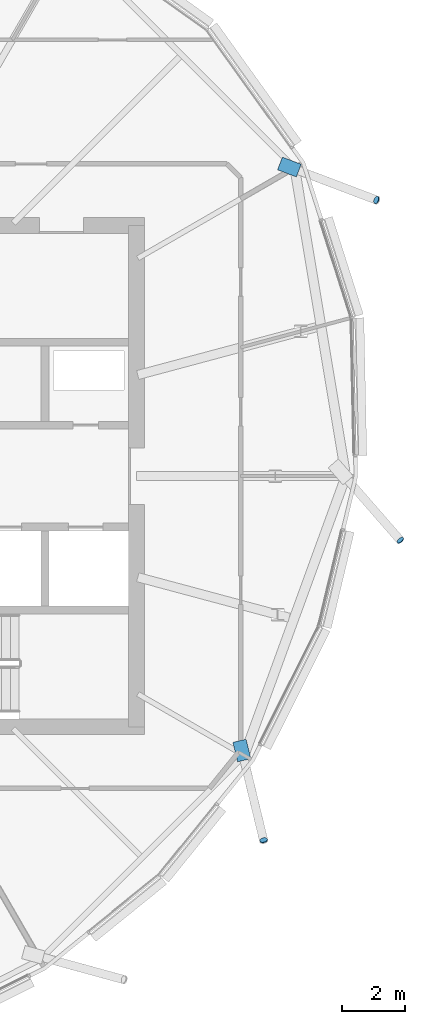
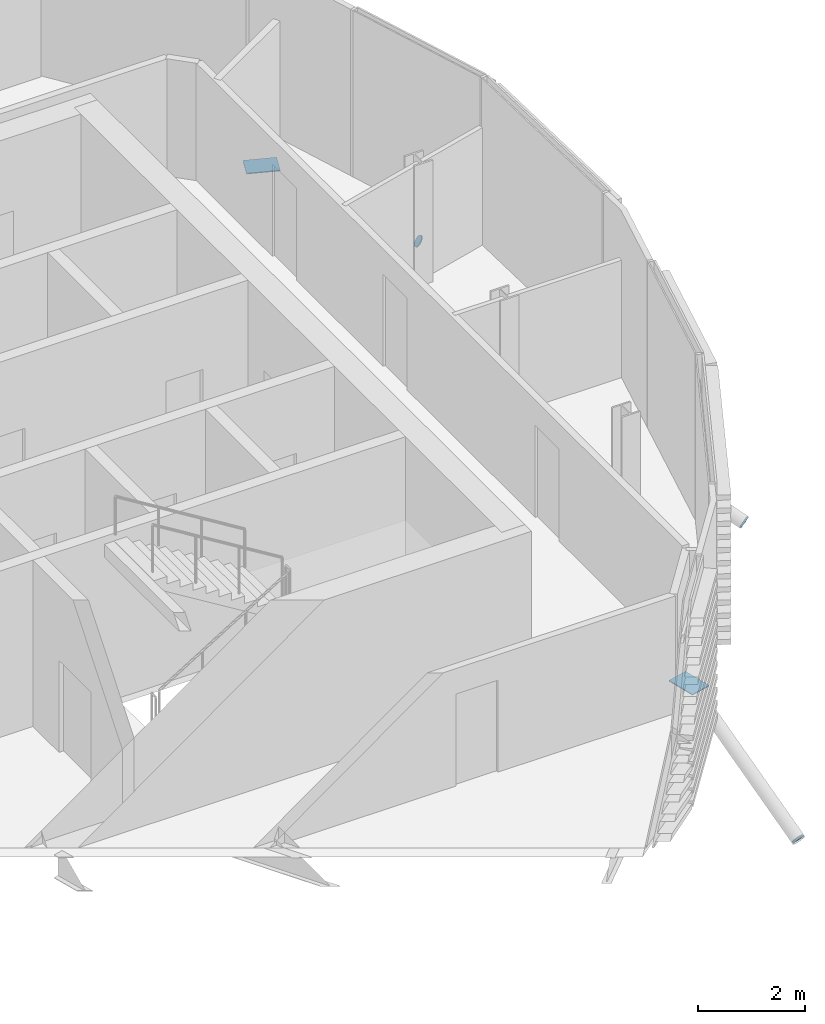
# One storey, part 28 of 34: 5 discrete accessories.
"""IFC4 building model written with IfcOpenShell, lengths in metres."""

from ifc_helpers import new_model, si_unit, direction, frame, origin, origin_2d, place, context, subcontext, project, spatial, polyline, rectangle, circle, outline, extrude, material, material_profile, profile_set, type_object, element, save


model = new_model("IFC4")

# Units and contexts
model_context = context("Model", 3, precision=1e-05, world=origin(), true_north=direction((0.0, 1.0)))
body_context = subcontext(model_context, "Body", "Model", "MODEL_VIEW")
ifc_project = project(units=[si_unit("LENGTHUNIT", "METRE"), si_unit("AREAUNIT", "SQUARE_METRE"), si_unit("VOLUMEUNIT", "CUBIC_METRE"), si_unit("PLANEANGLEUNIT", "RADIAN"), si_unit("MASSUNIT", "GRAM", prefix="KILO")], contexts=[model_context])

# Site, building, storey
site_placement = place(None, origin())
site = spatial("IfcSite", under=ifc_project, at=site_placement, CompositionType="ELEMENT")
building_placement = place(site_placement, origin())
building = spatial("IfcBuilding", under=site, at=building_placement, Name="Rimbun Link Towers", CompositionType="ELEMENT")
storey_placement = place(building_placement, frame((0.0, 0.0, 252.300048828125)))
storey = spatial("IfcBuildingStorey", under=building, at=storey_placement, Name="L62", CompositionType="ELEMENT", Elevation=252.300048828125)

# Discrete accessories
ifc_material_1 = material(Name="Steel S355J2H", Category="steel")
ifc_material_profile_1 = material_profile(ifc_material_1, circle(Radius=0.1240234375, at=origin_2d()), Name="PL D248")
ifc_profile_set_1 = profile_set([ifc_material_profile_1], Name="Steel S355J2H")
discrete_accessory_type_1 = type_object("IfcDiscreteAccessoryType", Name="Link foot sealing plate D248X20", PredefinedType="BRACKET", material=ifc_profile_set_1)
for number, where, z_axis, x_axis, name in (
    (1, (47.802734375, -11.61328125, -2.500732421875), (0.183817456151, -0.796542309987, -0.575961362606), (0.974391195695, 0.224859506699, 0.0), "Link foot sealing plate T2 L62 19"),
    (2, (52.162109375, -2.04296875, -2.607177734375), (0.573128115199, -0.658487621718, -0.48776860868), (0.754304719431, 0.656524478023, 0.0), "Link foot sealing plate T2 L62 21"),
    (3, (51.397216796875, 8.814453125, -2.504638671875), (0.771917403617, -0.294063772806, -0.563622231212), (0.355995327592, 0.934487734929, 0.0), "Link foot sealing plate T2 L62 23"),
):
    element("IfcDiscreteAccessory", number, at=place(storey_placement, frame(where, z_axis=z_axis, x_axis=x_axis)), inside=storey, type_object=discrete_accessory_type_1, Name=name, PredefinedType="BRACKET", context=body_context, shape_type="SweptSolid", body=[
        extrude(circle(Radius=0.1240234375, at=origin_2d()), origin(), (0.0, 0.0, 1.0), 0.02001953125),
    ])
ifc_material_2 = material(Name="Steel S355J2H", Category="steel")
ifc_material_profile_2 = material_profile(ifc_material_2, rectangle(XDim=0.43310546875, YDim=0.43310546875, at=origin_2d()), Name="PL 433x433")
ifc_profile_set_2 = profile_set([ifc_material_profile_2], Name="Steel S355J2H")
discrete_accessory_type_2 = type_object("IfcDiscreteAccessoryType", Name="Link head end plate 433X20", PredefinedType="BRACKET", material=ifc_profile_set_2)
discrete_accessory_1_placement = place(storey_placement, frame((0.0, 0.0, -0.46337890625)))
element("IfcDiscreteAccessory", 4, at=discrete_accessory_1_placement, inside=storey, type_object=discrete_accessory_type_2, Name="Link head end plate T2 L62 19", PredefinedType="BRACKET", context=body_context, shape_type="SweptSolid", body=[
    extrude(outline(polyline([(46.8251953125, -8.497802734375), (46.9755859375, -9.118896484375), (47.396484375, -9.01708984375), (47.24609375, -8.395751953125), (46.8251953125, -8.497802734375)])), origin(), (0.0, 0.0, 1.0), 0.02001953125),
])
discrete_accessory_2_placement = place(storey_placement, frame((0.0, 0.0, -0.46337890625)))
element("IfcDiscreteAccessory", 5, at=discrete_accessory_2_placement, inside=storey, type_object=discrete_accessory_type_2, Name="Link head end plate T2 L62 23", PredefinedType="BRACKET", context=body_context, shape_type="SweptSolid", body=[
    extrude(outline(polyline([(48.250244140625, 9.77490234375), (48.849853515625, 9.5478515625), (49.00341796875, 9.952880859375), (48.40380859375, 10.179931640625), (48.250244140625, 9.77490234375)])), origin(), (0.0, 0.0, 1.0), 0.02001953125),
])

save(model, "model.ifc")
